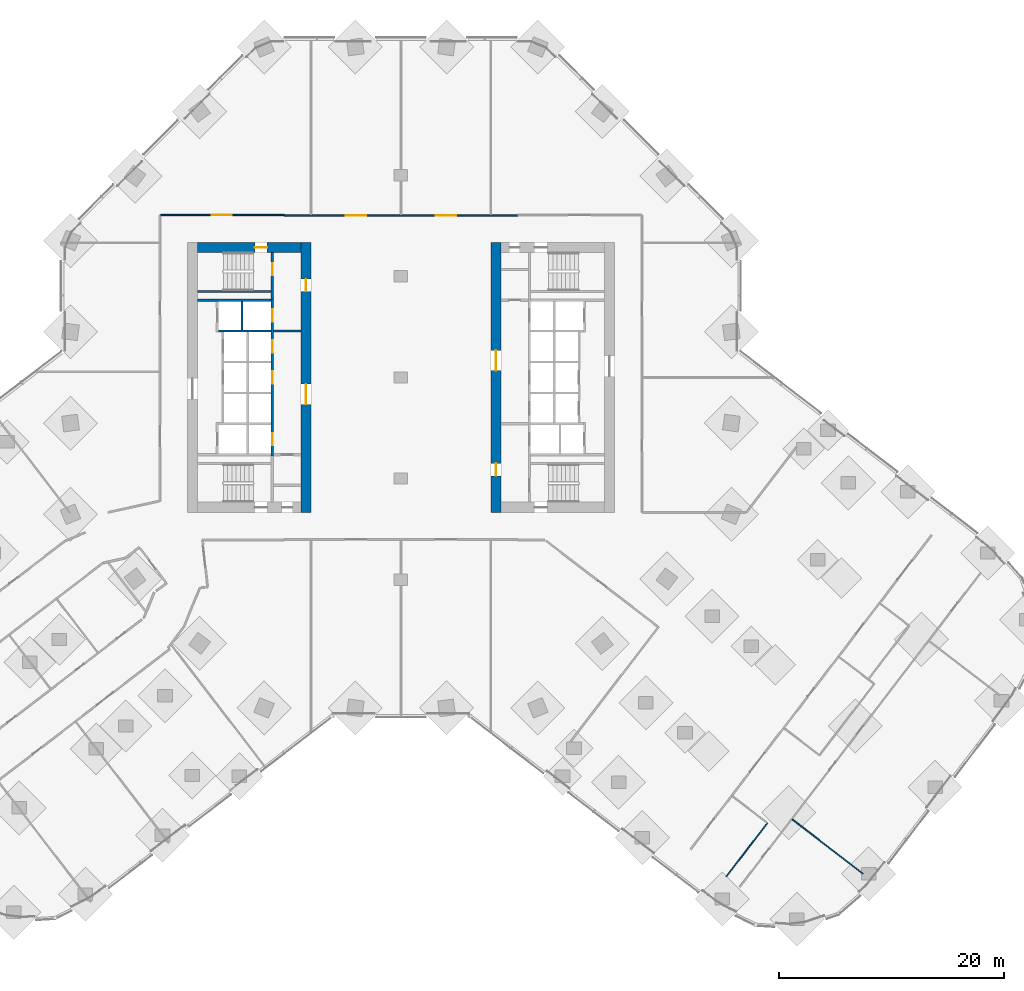
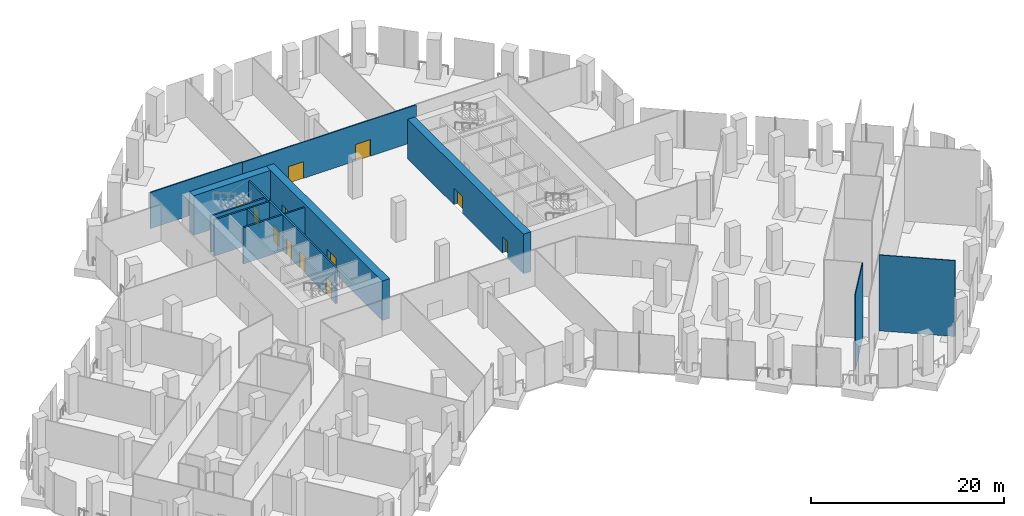
# One storey, part 20 of 27: 14 walls, 13 doors, 13 openings.
"""IFC4 building model written with IfcOpenShell, lengths in metres."""

import ifcopenshell
import ifcopenshell.guid

model = None  # the IFC model being written
_history = None  # IfcOwnerHistory: only IFC2X3 demands one
_inside = {}  # id of a spatial element -> (the spatial element, [elements in it])
_under = {}  # id of a project, library or spatial element -> (it, [spatial elements below it])
_declared = {}  # id of a project -> (the project, [libraries it declares])
_typed = {}  # id of a type object -> (the type object, [elements of that type])
_made_of = {}  # id of a material, layer set ... -> (it, [elements and type objects made of it])


def new_model(schema):
    """Start an empty IFC model of exactly this schema.

    Asked for "IFC4X3", IfcOpenShell would pick the latest addendum, in which some entities
    have other attributes; the version numbers below select the first issue.
    IFC2X3 requires an IfcOwnerHistory on every rooted entity: one is made here for all.
    """
    global model, _history
    if schema == "IFC4X3":
        model = ifcopenshell.file(schema_version=(4, 3, 0, 0))
    else:
        model = ifcopenshell.file(schema=schema)
    _inside.clear()
    _under.clear()
    _declared.clear()
    _typed.clear()
    _made_of.clear()
    _history = None
    if model.schema == "IFC2X3":
        org = make("IfcOrganization", Name="unknown")
        user = make(
            "IfcPersonAndOrganization",
            ThePerson=make("IfcPerson", FamilyName="unknown"),
            TheOrganization=org,
        )
        app = make(
            "IfcApplication",
            ApplicationDeveloper=org,
            Version="unknown",
            ApplicationFullName="unknown",
            ApplicationIdentifier="unknown",
        )
        _history = make(
            "IfcOwnerHistory",
            OwningUser=user,
            OwningApplication=app,
            ChangeAction="ADDED",
            CreationDate=0,
        )
    return model


def make(cls, **values):
    """One entity of the class cls with the attributes given. An attribute that is None is left unset."""
    return model.create_entity(
        cls, **{name: value for name, value in values.items() if value is not None}
    )


def rooted(cls, **values):
    """An entity with a GlobalId (a new one), such as an element, a storey or a relation."""
    return make(cls, GlobalId=ifcopenshell.guid.new(), OwnerHistory=_history, **values)


def si_unit(unit_type, name, prefix=None):
    """IfcSIUnit, for example si_unit("LENGTHUNIT", "METRE", prefix="MILLI")."""
    return make("IfcSIUnit", UnitType=unit_type, Prefix=prefix, Name=name)


def assignment(units):
    """IfcUnitAssignment: the units of a project."""
    return None if units is None else make("IfcUnitAssignment", Units=units)


def point(xyz):
    """IfcCartesianPoint."""
    return None if xyz is None else make("IfcCartesianPoint", Coordinates=xyz)


def direction(xyz):
    """IfcDirection."""
    return None if xyz is None else make("IfcDirection", DirectionRatios=xyz)


def frame(location, z_axis=None, x_axis=None):
    """IfcAxis2Placement3D, a coordinate frame: its origin and axes. An axis left out is left unset."""
    return make(
        "IfcAxis2Placement3D",
        Location=point(location),
        Axis=direction(z_axis),
        RefDirection=direction(x_axis),
    )


def frame_2d(location, x_axis=None):
    """IfcAxis2Placement2D, a coordinate frame in the plane: its origin and x axis."""
    return make(
        "IfcAxis2Placement2D", Location=point(location), RefDirection=direction(x_axis)
    )


def origin():
    """The frame at (0, 0, 0) with its axes left unset."""
    return frame((0.0, 0.0, 0.0))


def place(relative_to, where):
    """IfcLocalPlacement: puts the frame where relative to a parent placement (None: the world)."""
    return make(
        "IfcLocalPlacement", PlacementRelTo=relative_to, RelativePlacement=where
    )


def context(
    kind, dimensions, precision=None, world=None, true_north=None, identifier=None
):
    """IfcGeometricRepresentationContext, for example the 3D "Model" context."""
    return make(
        "IfcGeometricRepresentationContext",
        ContextIdentifier=identifier,
        ContextType=kind,
        CoordinateSpaceDimension=dimensions,
        Precision=precision,
        WorldCoordinateSystem=world,
        TrueNorth=true_north,
    )


def subcontext(parent, identifier, kind, view, scale=None):
    """IfcGeometricRepresentationSubContext, for example "Body" below "Model"."""
    return make(
        "IfcGeometricRepresentationSubContext",
        ContextIdentifier=identifier,
        ContextType=kind,
        ParentContext=parent,
        TargetScale=scale,
        TargetView=view,
    )


def project(units=None, contexts=None):
    """IfcProject with its units and contexts."""
    return rooted(
        "IfcProject",
        Name="project",
        RepresentationContexts=contexts,
        UnitsInContext=assignment(units),
    )


def spatial(cls, under=None, at=None, **own):
    """A site, building, storey or space (cls), placed at a placement, below another one or the project."""
    s = rooted(cls, ObjectPlacement=at, **own)
    if under is not None:
        _under.setdefault(under.id(), (under, []))[1].append(s)
    return s


def profile(cls, at=None, kind="AREA", **sizes):
    """A parametric profile (cls). Its sizes go by their IFC names, for example OverallWidth=200.0."""
    return make(cls, ProfileType=kind, Position=at, **sizes)


def rectangle(**sizes):
    """IfcRectangleProfileDef."""
    return profile("IfcRectangleProfileDef", **sizes)


def extrude(swept, where, along, depth):
    """IfcExtrudedAreaSolid: the profile swept, set in the frame where, extruded along a direction by depth."""
    return make(
        "IfcExtrudedAreaSolid",
        SweptArea=swept,
        Position=where,
        ExtrudedDirection=direction(along),
        Depth=depth,
    )


def shape(context_of_items, identifier, shape_type, items):
    """IfcShapeRepresentation: the items that make up one representation, for example the "Body"."""
    return make(
        "IfcShapeRepresentation",
        ContextOfItems=context_of_items,
        RepresentationIdentifier=identifier,
        RepresentationType=shape_type,
        Items=items,
    )


def material(Name=None, Category=None):
    """IfcMaterial."""
    return make("IfcMaterial", Name=Name, Category=Category)


def layer(
    of_material, thickness, ventilated=None, Name=None, Category=None, Priority=None
):
    """IfcMaterialLayer: one layer of a wall or slab, of a material (None: an air gap)."""
    return make(
        "IfcMaterialLayer",
        Material=of_material,
        LayerThickness=thickness,
        IsVentilated=ventilated,
        Name=Name,
        Category=Category,
        Priority=Priority,
    )


def layer_set(layers, Name=None):
    """IfcMaterialLayerSet."""
    return make("IfcMaterialLayerSet", MaterialLayers=layers, LayerSetName=Name)


def made_of(thing, what):
    """Note that an element or type object is made of a material, layer set ...; save() writes the relation."""
    if what is not None:
        _made_of.setdefault(what.id(), (what, []))[1].append(thing)
    return thing


def type_object(cls, material=None, **own):
    """A type object (cls), such as IfcWallType, which elements share."""
    return made_of(rooted(cls, **own), material)


def element(
    cls,
    number,
    at=None,
    inside=None,
    cuts=None,
    type_object=None,
    material=None,
    context=None,
    identifier="Body",
    shape_type=None,
    held_by="IfcProductDefinitionShape",
    body=None,
    shapes=None,
    **own,
):
    """One element of the class cls, such as IfcWall. Its Tag is "e" and its number.

    at: its placement. inside: the storey or other place that contains it. cuts: it is an
    opening in that element (IfcRelVoidsElement). A single representation is given by context,
    identifier, shape_type and body (its items); several are given by shapes. held_by: the class
    of the entity that holds the representations. save() writes the other relations.
    """
    e = rooted(cls, Tag="e%d" % number, ObjectPlacement=at, **own)
    if body is not None:
        shapes = [shape(context, identifier, shape_type, body)]
    if shapes is not None:
        e.Representation = make(held_by, Representations=shapes)
    if inside is not None:
        _inside.setdefault(inside.id(), (inside, []))[1].append(e)
    if cuts is not None:
        rooted(
            "IfcRelVoidsElement", RelatingBuildingElement=cuts, RelatedOpeningElement=e
        )
    if type_object is not None:
        _typed.setdefault(type_object.id(), (type_object, []))[1].append(e)
    return made_of(e, material)


def fill(opening, filler):
    """IfcRelFillsElement: the door or window that sits in an opening."""
    return rooted(
        "IfcRelFillsElement",
        RelatingOpeningElement=opening,
        RelatedBuildingElement=filler,
    )


def aggregate(whole, parts):
    """IfcRelAggregates: a whole, such as a stair, and the parts it consists of."""
    return rooted("IfcRelAggregates", RelatingObject=whole, RelatedObjects=parts)


def save(model, path):
    """Write the relations noted so far, then the file.

    IfcRelAggregates (storeys below a building ...), IfcRelContainedInSpatialStructure (elements
    in a storey), IfcRelDefinesByType, IfcRelAssociatesMaterial and IfcRelDeclares: one each for
    every whole, place, type object, material and project.
    """
    for whole, parts in _under.values():
        aggregate(whole, parts)
    for where, things in _inside.values():
        rooted(
            "IfcRelContainedInSpatialStructure",
            RelatedElements=things,
            RelatingStructure=where,
        )
    for kind, things in _typed.values():
        rooted("IfcRelDefinesByType", RelatedObjects=things, RelatingType=kind)
    for what, things in _made_of.values():
        rooted("IfcRelAssociatesMaterial", RelatedObjects=things, RelatingMaterial=what)
    for by, libraries in _declared.values():
        rooted("IfcRelDeclares", RelatingContext=by, RelatedDefinitions=libraries)
    model.write(path)


model = new_model("IFC4")

# Units and contexts
model_context = context("Model", 3, precision=1e-05, world=origin(), true_north=direction((0.0, 1.0)))
body_context = subcontext(model_context, "Body", "Model", "MODEL_VIEW")
ifc_project = project(units=[si_unit("LENGTHUNIT", "METRE"), si_unit("AREAUNIT", "SQUARE_METRE"), si_unit("VOLUMEUNIT", "CUBIC_METRE"), si_unit("PLANEANGLEUNIT", "RADIAN"), si_unit("MASSUNIT", "GRAM", prefix="KILO")], contexts=[model_context])

# Site, building, storey
site_placement = place(None, origin())
site = spatial("IfcSite", under=ifc_project, at=site_placement, CompositionType="ELEMENT")
building_placement = place(site_placement, origin())
building = spatial("IfcBuilding", under=site, at=building_placement, Name="Orlundy Tower", CompositionType="ELEMENT")
storey_placement = place(building_placement, frame((0.0, 0.0, 10.5)))
storey = spatial("IfcBuildingStorey", under=building, at=storey_placement, Name="L01", CompositionType="ELEMENT", Elevation=10.5)

# Wall, opening, door
ifc_material_1 = material(Name="Concrete C80/95", Category="concrete")
ifc_layer_1 = layer(ifc_material_1, 0.89990234375)
ifc_layer_set_1 = layer_set([ifc_layer_1], Name="CORE WALL 900 C80/95")
wall_type_1 = type_object("IfcWallType", Name="CORE WALL 900 C80/95", PredefinedType="SHEAR", material=ifc_layer_set_1)
wall_1_placement = place(storey_placement, frame((-18.10009765625, 11.550048828125, 0.0), z_axis=(0.0, 0.0, 1.0), x_axis=(1.0, 0.0, 0.0)))
wall_1 = element("IfcWall", 1, at=wall_1_placement, inside=storey, type_object=wall_type_1, Name="Core wall W-N L01", PredefinedType="SHEAR", context=body_context, shape_type="SweptSolid", body=[
    extrude(rectangle(XDim=9.2001953125, YDim=0.89990234375, at=frame_2d((4.60009765625, 0.0))), origin(), (0.0, 0.0, 1.0), 5.0),
])
opening_1_placement = place(wall_1_placement, frame((5.10009765625, 0.0, 0.0)))
opening_1 = element("IfcOpeningElement", 2, at=opening_1_placement, cuts=wall_1, Name="Opening 02012", PredefinedType="OPENING", context=body_context, shape_type="SweptSolid", body=[
    extrude(rectangle(XDim=1.10009765625, YDim=2.10009765625, at=frame_2d((0.550048828125, 1.050048828125))), frame((0.0, 0.4599609375, 0.0), z_axis=(0.0, -1.0, 0.0), x_axis=(1.0, 0.0, 0.0)), (0.0, 0.0, 1.0), 0.919921875),
])
ifc_material_2 = material(Name="Steel door set", Category="steel")
door_type_1 = type_object("IfcDoorType", Name="Stair Door 1100x2100", OperationType="SINGLE_SWING_LEFT", PredefinedType="DOOR", material=ifc_material_2)
door_1_placement = place(opening_1_placement, origin())
door_1 = element("IfcDoor", 3, at=door_1_placement, inside=storey, type_object=door_type_1, Name="Stair door 02012", OperationType="SINGLE_SWING_RIGHT", OverallHeight=2.10009765625, OverallWidth=1.10009765625, PredefinedType="DOOR", context=body_context, shape_type="SweptSolid", body=[
    extrude(rectangle(XDim=1.10009765625, YDim=2.10009765625, at=frame_2d((0.550048828125, 1.050048828125))), frame((0.0, 0.02490234375, 0.0), z_axis=(0.0, -1.0, 0.0), x_axis=(1.0, 0.0, 0.0)), (0.0, 0.0, 1.0), 0.050048828125),
])
fill(opening_1, door_1)

# Wall, openings, doors
wall_2_placement = place(storey_placement, frame((-8.449951171875, -12.0, 0.0), z_axis=(0.0, 0.0, 1.0), x_axis=(0.0, 1.0, 0.0)))
wall_2 = element("IfcWall", 4, at=wall_2_placement, inside=storey, type_object=wall_type_1, Name="Core wall W-E L01", PredefinedType="SHEAR", context=body_context, shape_type="SweptSolid", body=[
    extrude(rectangle(XDim=24.0, YDim=0.89990234375, at=frame_2d((12.0, 0.0))), origin(), (0.0, 0.0, 1.0), 5.0),
])
opening_2_placement = place(wall_2_placement, frame((9.60009765625, 0.0, 0.0)))
opening_2 = element("IfcOpeningElement", 5, at=opening_2_placement, cuts=wall_2, Name="Opening 02009", PredefinedType="OPENING", context=body_context, shape_type="SweptSolid", body=[
    extrude(rectangle(XDim=1.800048828125, YDim=2.10009765625, at=frame_2d((0.89990234375, 1.050048828125))), frame((0.0, 0.4599609375, 0.0), z_axis=(0.0, -1.0, 0.0), x_axis=(1.0, 0.0, 0.0)), (0.0, 0.0, 1.0), 0.919921875),
])
opening_3_placement = place(wall_2_placement, frame((19.64990234375, 0.0, 0.0)))
opening_3 = element("IfcOpeningElement", 6, at=opening_3_placement, cuts=wall_2, Name="Opening 02011", PredefinedType="OPENING", context=body_context, shape_type="SweptSolid", body=[
    extrude(rectangle(XDim=1.10009765625, YDim=2.10009765625, at=frame_2d((0.550048828125, 1.050048828125))), frame((0.0, 0.4599609375, 0.0), z_axis=(0.0, -1.0, 0.0), x_axis=(1.0, 0.0, 0.0)), (0.0, 0.0, 1.0), 0.919921875),
])
ifc_material_3 = material(Name="Steel door set", Category="steel")
door_type_2 = type_object("IfcDoorType", Name="Fire-fighting Lobby Door 1100x2100", OperationType="SINGLE_SWING_LEFT", PredefinedType="DOOR", material=ifc_material_3)
door_2_placement = place(opening_3_placement, origin())
door_2 = element("IfcDoor", 7, at=door_2_placement, inside=storey, type_object=door_type_2, Name="Fire-fighting lobby door 02011", OperationType="SINGLE_SWING_RIGHT", OverallHeight=2.10009765625, OverallWidth=1.10009765625, PredefinedType="DOOR", context=body_context, shape_type="SweptSolid", body=[
    extrude(rectangle(XDim=1.10009765625, YDim=2.10009765625, at=frame_2d((0.550048828125, 1.050048828125))), frame((0.0, 0.02490234375, 0.0), z_axis=(0.0, -1.0, 0.0), x_axis=(1.0, 0.0, 0.0)), (0.0, 0.0, 1.0), 0.050048828125),
])
fill(opening_3, door_2)
ifc_material_4 = material(Name="Timber door set", Category="wood")
door_type_3 = type_object("IfcDoorType", Name="Lobby Door 1800x2100", OperationType="DOUBLE_DOOR_DOUBLE_SWING", PredefinedType="DOOR", material=ifc_material_4)
door_3_placement = place(opening_2_placement, origin())
door_3 = element("IfcDoor", 8, at=door_3_placement, inside=storey, type_object=door_type_3, Name="Lift lobby door 02009", OperationType="SINGLE_SWING_LEFT", OverallHeight=2.10009765625, OverallWidth=1.800048828125, PredefinedType="DOOR", context=body_context, shape_type="SweptSolid", body=[
    extrude(rectangle(XDim=1.800048828125, YDim=2.10009765625, at=frame_2d((0.89990234375, 1.050048828125))), frame((0.0, 0.02490234375, 0.0), z_axis=(0.0, -1.0, 0.0), x_axis=(1.0, 0.0, 0.0)), (0.0, 0.0, 1.0), 0.050048828125),
])
fill(opening_2, door_3)

wall_3_placement = place(storey_placement, frame((8.449951171875, -12.0, 0.0), z_axis=(0.0, 0.0, 1.0), x_axis=(0.0, 1.0, 0.0)))
wall_3 = element("IfcWall", 9, at=wall_3_placement, inside=storey, type_object=wall_type_1, Name="Core wall E-W L01", PredefinedType="SHEAR", context=body_context, shape_type="SweptSolid", body=[
    extrude(rectangle(XDim=24.0, YDim=0.89990234375, at=frame_2d((12.0, 0.0))), origin(), (0.0, 0.0, 1.0), 5.0),
])
opening_4_placement = place(wall_3_placement, frame((12.60009765625, 0.0, 0.0)))
opening_4 = element("IfcOpeningElement", 10, at=opening_4_placement, cuts=wall_3, Name="Opening 02058", PredefinedType="OPENING", context=body_context, shape_type="SweptSolid", body=[
    extrude(rectangle(XDim=1.800048828125, YDim=2.10009765625, at=frame_2d((0.89990234375, 1.050048828125))), frame((0.0, 0.4599609375, 0.0), z_axis=(0.0, -1.0, 0.0), x_axis=(1.0, 0.0, 0.0)), (0.0, 0.0, 1.0), 0.919921875),
])
opening_5_placement = place(wall_3_placement, frame((3.25, 0.0, 0.0)))
opening_5 = element("IfcOpeningElement", 11, at=opening_5_placement, cuts=wall_3, Name="Opening 02060", PredefinedType="OPENING", context=body_context, shape_type="SweptSolid", body=[
    extrude(rectangle(XDim=1.10009765625, YDim=2.10009765625, at=frame_2d((0.550048828125, 1.050048828125))), frame((0.0, 0.4599609375, 0.0), z_axis=(0.0, -1.0, 0.0), x_axis=(1.0, 0.0, 0.0)), (0.0, 0.0, 1.0), 0.919921875),
])
door_4_placement = place(opening_5_placement, origin())
door_4 = element("IfcDoor", 12, at=door_4_placement, inside=storey, type_object=door_type_2, Name="Fire-fighting lobby door 02060", OperationType="SINGLE_SWING_LEFT", OverallHeight=2.10009765625, OverallWidth=1.10009765625, PredefinedType="DOOR", context=body_context, shape_type="SweptSolid", body=[
    extrude(rectangle(XDim=1.10009765625, YDim=2.10009765625, at=frame_2d((0.550048828125, 1.050048828125))), frame((0.0, 0.02490234375, 0.0), z_axis=(0.0, -1.0, 0.0), x_axis=(1.0, 0.0, 0.0)), (0.0, 0.0, 1.0), 0.050048828125),
])
fill(opening_5, door_4)
door_5_placement = place(opening_4_placement, origin())
door_5 = element("IfcDoor", 13, at=door_5_placement, inside=storey, type_object=door_type_3, Name="Lift lobby door 02058", OperationType="SINGLE_SWING_RIGHT", OverallHeight=2.10009765625, OverallWidth=1.800048828125, PredefinedType="DOOR", context=body_context, shape_type="SweptSolid", body=[
    extrude(rectangle(XDim=1.800048828125, YDim=2.10009765625, at=frame_2d((0.89990234375, 1.050048828125))), frame((0.0, 0.02490234375, 0.0), z_axis=(0.0, -1.0, 0.0), x_axis=(1.0, 0.0, 0.0)), (0.0, 0.0, 1.0), 0.050048828125),
])
fill(opening_4, door_5)

# Walls
ifc_material_5 = material(Name="Gypsum board partition")
ifc_layer_2 = layer(ifc_material_5, 0.10009765625)
ifc_layer_set_2 = layer_set([ifc_layer_2], Name="Floor partition 100 B")
wall_type_2 = type_object("IfcWallType", Name="Floor partition 100 B", PredefinedType="PARTITIONING", material=ifc_layer_set_2)
wall_4_placement = place(storey_placement, frame((34.81005859375, -39.31494140625, 0.0), z_axis=(0.0, 0.0, 1.0), x_axis=(0.793314155102, -0.608812492738, 0.0)))
element("IfcWall", 14, at=wall_4_placement, inside=storey, type_object=wall_type_2, Name="wall-int-L01-017", PredefinedType="PARTITIONING", context=body_context, shape_type="SweptSolid", body=[
    extrude(rectangle(XDim=7.949951171875, YDim=0.10009765625, at=frame_2d((3.97509765625, 0.0))), origin(), (0.0, 0.0, 1.0), 9.60009765625),
])
wall_5_placement = place(storey_placement, frame((28.952880859375, -44.40087890625, 0.0), z_axis=(0.0, 0.0, 1.0), x_axis=(0.608740760069, 0.793369199699, 0.0)))
element("IfcWall", 15, at=wall_5_placement, inside=storey, type_object=wall_type_2, Name="wall-int-L01-053", PredefinedType="PARTITIONING", context=body_context, shape_type="SweptSolid", body=[
    extrude(rectangle(XDim=5.99951171875, YDim=0.10009765625, at=frame_2d((2.999755859375, 0.0))), origin(), (0.0, 0.0, 1.0), 9.60009765625),
])

# Wall, openings, doors
ifc_material_6 = material(Name="Gypsum board partition, double layer")
ifc_layer_3 = layer(ifc_material_6, 0.125)
ifc_layer_set_3 = layer_set([ifc_layer_3], Name="Floor partition 125")
wall_type_3 = type_object("IfcWallType", Name="Floor partition 125", PredefinedType="PARTITIONING", material=ifc_layer_set_3)
wall_6_placement = place(storey_placement, frame((-10.389892578125, 14.40087890625, 0.0), z_axis=(0.0, 0.0, 1.0), x_axis=(1.0, 0.0, 0.0)))
wall_6 = element("IfcWall", 16, at=wall_6_placement, inside=storey, type_object=wall_type_3, Name="wall-int-L01-032", PredefinedType="PARTITIONING", context=body_context, shape_type="SweptSolid", body=[
    extrude(rectangle(XDim=20.781005859375, YDim=0.125, at=frame_2d((10.390625, 0.0))), origin(), (0.0, 0.0, 1.0), 4.580078125),
])
opening_6_placement = place(wall_6_placement, frame((13.489990234375, 0.0, 0.0)))
opening_6 = element("IfcOpeningElement", 17, at=opening_6_placement, cuts=wall_6, Name="Opening 02128", PredefinedType="OPENING", context=body_context, shape_type="SweptSolid", body=[
    extrude(rectangle(XDim=1.800048828125, YDim=2.10009765625, at=frame_2d((0.89990234375, 1.050048828125))), frame((0.0, 0.072509765625, 0.0), z_axis=(0.0, -1.0, 0.0), x_axis=(1.0, 0.0, 0.0)), (0.0, 0.0, 1.0), 0.14501953125),
])
opening_7_placement = place(wall_6_placement, frame((5.489990234375, 0.0, 0.0)))
opening_7 = element("IfcOpeningElement", 18, at=opening_7_placement, cuts=wall_6, Name="Opening 02129", PredefinedType="OPENING", context=body_context, shape_type="SweptSolid", body=[
    extrude(rectangle(XDim=1.800048828125, YDim=2.10009765625, at=frame_2d((0.89990234375, 1.050048828125))), frame((0.0, 0.072509765625, 0.0), z_axis=(0.0, -1.0, 0.0), x_axis=(1.0, 0.0, 0.0)), (0.0, 0.0, 1.0), 0.14501953125),
])
ifc_material_7 = material(Name="Timber door leaf", Category="wood")
door_type_4 = type_object("IfcDoorType", Name="Floor door double 1800 FD30S", OperationType="NOTDEFINED", PredefinedType="DOOR", material=ifc_material_7)
door_6_placement = place(opening_6_placement, origin())
door_6 = element("IfcDoor", 19, at=door_6_placement, inside=storey, type_object=door_type_4, Name="Door 02128", OperationType="DOUBLE_DOOR_SINGLE_SWING", OverallHeight=2.10009765625, OverallWidth=1.800048828125, PredefinedType="DOOR", context=body_context, shape_type="SweptSolid", body=[
    extrude(rectangle(XDim=1.800048828125, YDim=2.10009765625, at=frame_2d((0.89990234375, 1.050048828125))), frame((0.0, 0.02490234375, 0.0), z_axis=(0.0, -1.0, 0.0), x_axis=(1.0, 0.0, 0.0)), (0.0, 0.0, 1.0), 0.050048828125),
])
fill(opening_6, door_6)
door_7_placement = place(opening_7_placement, origin())
door_7 = element("IfcDoor", 20, at=door_7_placement, inside=storey, type_object=door_type_4, Name="Door 02129", OperationType="DOUBLE_DOOR_SINGLE_SWING", OverallHeight=2.10009765625, OverallWidth=1.800048828125, PredefinedType="DOOR", context=body_context, shape_type="SweptSolid", body=[
    extrude(rectangle(XDim=1.800048828125, YDim=2.10009765625, at=frame_2d((0.89990234375, 1.050048828125))), frame((0.0, 0.02490234375, 0.0), z_axis=(0.0, -1.0, 0.0), x_axis=(1.0, 0.0, 0.0)), (0.0, 0.0, 1.0), 0.050048828125),
])
fill(opening_7, door_7)

# Wall, opening, door
wall_7_placement = place(storey_placement, frame((-21.386962890625, 14.450927734375, 0.0), z_axis=(0.0, 0.0, 1.0), x_axis=(1.0, 0.0, 0.0)))
wall_7 = element("IfcWall", 21, at=wall_7_placement, inside=storey, type_object=wall_type_3, Name="wall-int-L01-033", PredefinedType="PARTITIONING", context=body_context, shape_type="SweptSolid", body=[
    extrude(rectangle(XDim=10.995849609375, YDim=0.125, at=frame_2d((5.498046875, 0.0))), origin(), (0.0, 0.0, 1.0), 4.580078125),
])
opening_8_placement = place(wall_7_placement, frame((4.53759765625, 0.0, 0.0)))
opening_8 = element("IfcOpeningElement", 22, at=opening_8_placement, cuts=wall_7, Name="Opening 02130", PredefinedType="OPENING", context=body_context, shape_type="SweptSolid", body=[
    extrude(rectangle(XDim=1.800048828125, YDim=2.10009765625, at=frame_2d((0.89990234375, 1.050048828125))), frame((0.0, 0.072509765625, 0.0), z_axis=(0.0, -1.0, 0.0), x_axis=(1.0, 0.0, 0.0)), (0.0, 0.0, 1.0), 0.14501953125),
])
door_8_placement = place(opening_8_placement, origin())
door_8 = element("IfcDoor", 23, at=door_8_placement, inside=storey, type_object=door_type_4, Name="Door 02130", OperationType="DOUBLE_DOOR_SINGLE_SWING", OverallHeight=2.10009765625, OverallWidth=1.800048828125, PredefinedType="DOOR", context=body_context, shape_type="SweptSolid", body=[
    extrude(rectangle(XDim=1.800048828125, YDim=2.10009765625, at=frame_2d((0.89990234375, 1.050048828125))), frame((0.0, 0.02490234375, 0.0), z_axis=(0.0, -1.0, 0.0), x_axis=(1.0, 0.0, 0.0)), (0.0, 0.0, 1.0), 0.050048828125),
])
fill(opening_8, door_8)

ifc_material_8 = material(Name="Concrete C40/50", Category="concrete")
ifc_layer_4 = layer(ifc_material_8, 0.199951171875)
ifc_layer_set_4 = layer_set([ifc_layer_4], Name="Load-bearing Shaft Wall 200")
wall_type_4 = type_object("IfcWallType", Name="Load-bearing Shaft Wall 200", PredefinedType="SOLIDWALL", material=ifc_layer_set_4)
wall_8_placement = place(storey_placement, frame((-11.43994140625, 6.97509765625, 0.0), z_axis=(0.0, 0.0, 1.0), x_axis=(0.0, 1.0, 0.0)))
wall_8 = element("IfcWall", 24, at=wall_8_placement, inside=storey, type_object=wall_type_4, Name="Shaft wall W02-stair-end-n", PredefinedType="SOLIDWALL", context=body_context, shape_type="SweptSolid", body=[
    extrude(rectangle(XDim=4.125, YDim=0.199951171875, at=frame_2d((2.0625, 0.0))), origin(), (0.0, 0.0, 1.0), 4.590087890625),
])
opening_9_placement = place(wall_8_placement, frame((2.10009765625, 0.0, 0.0)))
opening_9 = element("IfcOpeningElement", 25, at=opening_9_placement, cuts=wall_8, Name="Opening 02014", PredefinedType="OPENING", context=body_context, shape_type="SweptSolid", body=[
    extrude(rectangle(XDim=1.10009765625, YDim=2.10009765625, at=frame_2d((0.550048828125, 1.050048828125))), frame((0.0, 0.110107421875, 0.0), z_axis=(0.0, -1.0, 0.0), x_axis=(1.0, 0.0, 0.0)), (0.0, 0.0, 1.0), 0.22021484375),
])
door_9_placement = place(opening_9_placement, origin())
door_9 = element("IfcDoor", 26, at=door_9_placement, inside=storey, type_object=door_type_2, Name="Fire-fighting lobby to stair door 02014", OperationType="SINGLE_SWING_RIGHT", OverallHeight=2.10009765625, OverallWidth=1.10009765625, PredefinedType="DOOR", context=body_context, shape_type="SweptSolid", body=[
    extrude(rectangle(XDim=1.10009765625, YDim=2.10009765625, at=frame_2d((0.550048828125, 1.050048828125))), frame((0.0, 0.02490234375, 0.0), z_axis=(0.0, -1.0, 0.0), x_axis=(1.0, 0.0, 0.0)), (0.0, 0.0, 1.0), 0.050048828125),
])
fill(opening_9, door_9)

# Walls
wall_9_placement = place(storey_placement, frame((-11.5400390625, 7.64990234375, 0.0), z_axis=(0.0, 0.0, 1.0), x_axis=(-1.0, 0.0, 0.0)))
element("IfcWall", 27, at=wall_9_placement, inside=storey, type_object=wall_type_4, Name="Shaft wall W02-stair-side-n", PredefinedType="SOLIDWALL", context=body_context, shape_type="SweptSolid", body=[
    extrude(rectangle(XDim=6.56005859375, YDim=0.199951171875, at=frame_2d((3.280029296875, 0.0))), origin(), (0.0, 0.0, 1.0), 4.590087890625),
])
ifc_material_9 = material(Name="Gypsum board partition on steel studs", Category="steel")
ifc_layer_5 = layer(ifc_material_9, 0.199951171875)
ifc_layer_set_5 = layer_set([ifc_layer_5], Name="Partition 200")
wall_type_5 = type_object("IfcWallType", Name="Partition 200", PredefinedType="PARTITIONING", material=ifc_layer_set_5)
wall_10_placement = place(storey_placement, frame((-8.89990234375, 4.125, 0.0), z_axis=(0.0, 0.0, 1.0), x_axis=(-1.0, 0.0, 0.0)))
element("IfcWall", 28, at=wall_10_placement, inside=storey, type_object=wall_type_5, Name="Partition wall W02-lobby-n", PredefinedType="PARTITIONING", context=body_context, shape_type="SweptSolid", body=[
    extrude(rectangle(XDim=2.440185546875, YDim=0.199951171875, at=frame_2d((1.22021484375, 0.0))), origin(), (0.0, 0.0, 1.0), 4.590087890625),
])
ifc_material_10 = material(Name="Fire-rated blockwork shaft wall", Category="masonry")
ifc_layer_6 = layer(ifc_material_10, 0.199951171875)
ifc_layer_set_6 = layer_set([ifc_layer_6], Name="Shaft Wall 200")
wall_type_6 = type_object("IfcWallType", Name="Shaft Wall 200", PredefinedType="SOLIDWALL", material=ifc_layer_set_6)
wall_11_placement = place(storey_placement, frame((-11.5400390625, 6.875, 0.0), z_axis=(0.0, 0.0, 1.0), x_axis=(-1.0, 0.0, 0.0)))
element("IfcWall", 29, at=wall_11_placement, inside=storey, type_object=wall_type_6, Name="Shaft wall W02-zone-n", PredefinedType="SOLIDWALL", context=body_context, shape_type="SweptSolid", body=[
    extrude(rectangle(XDim=6.56005859375, YDim=0.199951171875, at=frame_2d((3.280029296875, 0.0))), origin(), (0.0, 0.0, 1.0), 4.590087890625),
])
wall_12_placement = place(storey_placement, frame((-11.5400390625, 4.125, 0.0), z_axis=(0.0, 0.0, 1.0), x_axis=(-1.0, 0.0, 0.0)))
element("IfcWall", 30, at=wall_12_placement, inside=storey, type_object=wall_type_6, Name="Shaft wall W02-cross+4.125", PredefinedType="SOLIDWALL", context=body_context, shape_type="SweptSolid", body=[
    extrude(rectangle(XDim=4.699951171875, YDim=0.199951171875, at=frame_2d((2.35009765625, 0.0))), origin(), (0.0, 0.0, 1.0), 4.590087890625),
])

# Wall, openings, doors
wall_13_placement = place(storey_placement, frame((-11.43994140625, -6.97509765625, 0.0), z_axis=(0.0, 0.0, 1.0), x_axis=(0.0, 1.0, 0.0)))
wall_13 = element("IfcWall", 31, at=wall_13_placement, inside=storey, type_object=wall_type_6, Name="Shaft wall W02-front-h", PredefinedType="SOLIDWALL", context=body_context, shape_type="SweptSolid", body=[
    extrude(rectangle(XDim=13.9501953125, YDim=0.199951171875, at=frame_2d((6.97509765625, 0.0))), origin(), (0.0, 0.0, 1.0), 4.590087890625),
])
opening_10_placement = place(wall_13_placement, frame((0.925048828125, 0.0, 0.0)))
opening_10 = element("IfcOpeningElement", 32, at=opening_10_placement, cuts=wall_13, Name="Opening 02001", PredefinedType="OPENING", context=body_context, shape_type="SweptSolid", body=[
    extrude(rectangle(XDim=1.10009765625, YDim=2.10009765625, at=frame_2d((0.550048828125, 1.050048828125))), frame((0.0, 0.110107421875, 0.0), z_axis=(0.0, -1.0, 0.0), x_axis=(1.0, 0.0, 0.0)), (0.0, 0.0, 1.0), 0.22021484375),
])
opening_11_placement = place(wall_13_placement, frame((6.425048828125, 0.0, 0.0)))
opening_11 = element("IfcOpeningElement", 33, at=opening_11_placement, cuts=wall_13, Name="Opening 02003", PredefinedType="OPENING", context=body_context, shape_type="SweptSolid", body=[
    extrude(rectangle(XDim=1.10009765625, YDim=2.10009765625, at=frame_2d((0.550048828125, 1.050048828125))), frame((0.0, 0.110107421875, 0.0), z_axis=(0.0, -1.0, 0.0), x_axis=(1.0, 0.0, 0.0)), (0.0, 0.0, 1.0), 0.22021484375),
])
opening_12_placement = place(wall_13_placement, frame((9.175048828125, 0.0, 0.0)))
opening_12 = element("IfcOpeningElement", 34, at=opening_12_placement, cuts=wall_13, Name="Opening 02005", PredefinedType="OPENING", context=body_context, shape_type="SweptSolid", body=[
    extrude(rectangle(XDim=1.10009765625, YDim=2.10009765625, at=frame_2d((0.550048828125, 1.050048828125))), frame((0.0, 0.110107421875, 0.0), z_axis=(0.0, -1.0, 0.0), x_axis=(1.0, 0.0, 0.0)), (0.0, 0.0, 1.0), 0.22021484375),
])
opening_13_placement = place(wall_13_placement, frame((11.925048828125, 0.0, 0.0)))
opening_13 = element("IfcOpeningElement", 35, at=opening_13_placement, cuts=wall_13, Name="Opening 02007", PredefinedType="OPENING", context=body_context, shape_type="SweptSolid", body=[
    extrude(rectangle(XDim=1.10009765625, YDim=2.10009765625, at=frame_2d((0.550048828125, 1.050048828125))), frame((0.0, 0.110107421875, 0.0), z_axis=(0.0, -1.0, 0.0), x_axis=(1.0, 0.0, 0.0)), (0.0, 0.0, 1.0), 0.22021484375),
])
ifc_material_11 = material(Name="Steel door set", Category="steel")
door_type_5 = type_object("IfcDoorType", Name="Landing Door 1100x2100", OperationType="DOUBLE_DOOR_SLIDING", PredefinedType="DOOR", material=ifc_material_11)
door_10_placement = place(opening_10_placement, origin())
door_10 = element("IfcDoor", 36, at=door_10_placement, inside=storey, type_object=door_type_5, Name="Lift landing door LPD-01 02001", OperationType="DOUBLE_DOOR_SLIDING", OverallHeight=2.10009765625, OverallWidth=1.10009765625, PredefinedType="DOOR", context=body_context, shape_type="SweptSolid", body=[
    extrude(rectangle(XDim=1.10009765625, YDim=2.10009765625, at=frame_2d((0.550048828125, 1.050048828125))), frame((0.0, 0.02490234375, 0.0), z_axis=(0.0, -1.0, 0.0), x_axis=(1.0, 0.0, 0.0)), (0.0, 0.0, 1.0), 0.050048828125),
])
fill(opening_10, door_10)
door_11_placement = place(opening_11_placement, origin())
door_11 = element("IfcDoor", 37, at=door_11_placement, inside=storey, type_object=door_type_5, Name="Lift landing door LP-05 02003", OperationType="DOUBLE_DOOR_SLIDING", OverallHeight=2.10009765625, OverallWidth=1.10009765625, PredefinedType="DOOR", context=body_context, shape_type="SweptSolid", body=[
    extrude(rectangle(XDim=1.10009765625, YDim=2.10009765625, at=frame_2d((0.550048828125, 1.050048828125))), frame((0.0, 0.02490234375, 0.0), z_axis=(0.0, -1.0, 0.0), x_axis=(1.0, 0.0, 0.0)), (0.0, 0.0, 1.0), 0.050048828125),
])
fill(opening_11, door_11)
door_12_placement = place(opening_12_placement, origin())
door_12 = element("IfcDoor", 38, at=door_12_placement, inside=storey, type_object=door_type_5, Name="Lift landing door LP-02 02005", OperationType="DOUBLE_DOOR_SLIDING", OverallHeight=2.10009765625, OverallWidth=1.10009765625, PredefinedType="DOOR", context=body_context, shape_type="SweptSolid", body=[
    extrude(rectangle(XDim=1.10009765625, YDim=2.10009765625, at=frame_2d((0.550048828125, 1.050048828125))), frame((0.0, 0.02490234375, 0.0), z_axis=(0.0, -1.0, 0.0), x_axis=(1.0, 0.0, 0.0)), (0.0, 0.0, 1.0), 0.050048828125),
])
fill(opening_12, door_12)
door_13_placement = place(opening_13_placement, origin())
door_13 = element("IfcDoor", 39, at=door_13_placement, inside=storey, type_object=door_type_5, Name="Lift landing door FL1 02007", OperationType="DOUBLE_DOOR_SLIDING", OverallHeight=2.10009765625, OverallWidth=1.10009765625, PredefinedType="DOOR", context=body_context, shape_type="SweptSolid", body=[
    extrude(rectangle(XDim=1.10009765625, YDim=2.10009765625, at=frame_2d((0.550048828125, 1.050048828125))), frame((0.0, 0.02490234375, 0.0), z_axis=(0.0, -1.0, 0.0), x_axis=(1.0, 0.0, 0.0)), (0.0, 0.0, 1.0), 0.050048828125),
])
fill(opening_13, door_13)

# Wall
wall_14_placement = place(storey_placement, frame((-14.139892578125, 4.22509765625, 0.0), z_axis=(0.0, 0.0, 1.0), x_axis=(0.0, 1.0, 0.0)))
element("IfcWall", 40, at=wall_14_placement, inside=storey, type_object=wall_type_6, Name="Shaft wall W02-mid-b", PredefinedType="SOLIDWALL", context=body_context, shape_type="SweptSolid", body=[
    extrude(rectangle(XDim=2.5498046875, YDim=0.199951171875, at=frame_2d((1.27490234375, 0.0))), origin(), (0.0, 0.0, 1.0), 4.590087890625),
])

save(model, "model.ifc")
